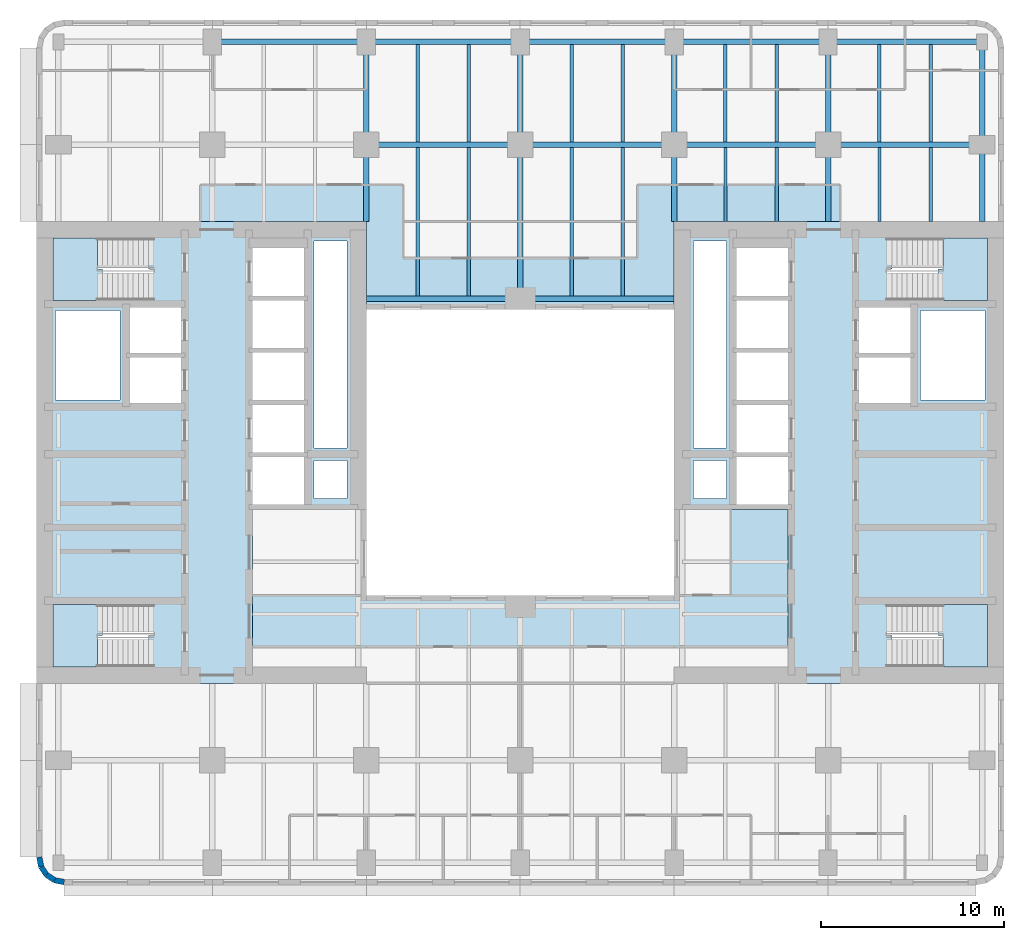
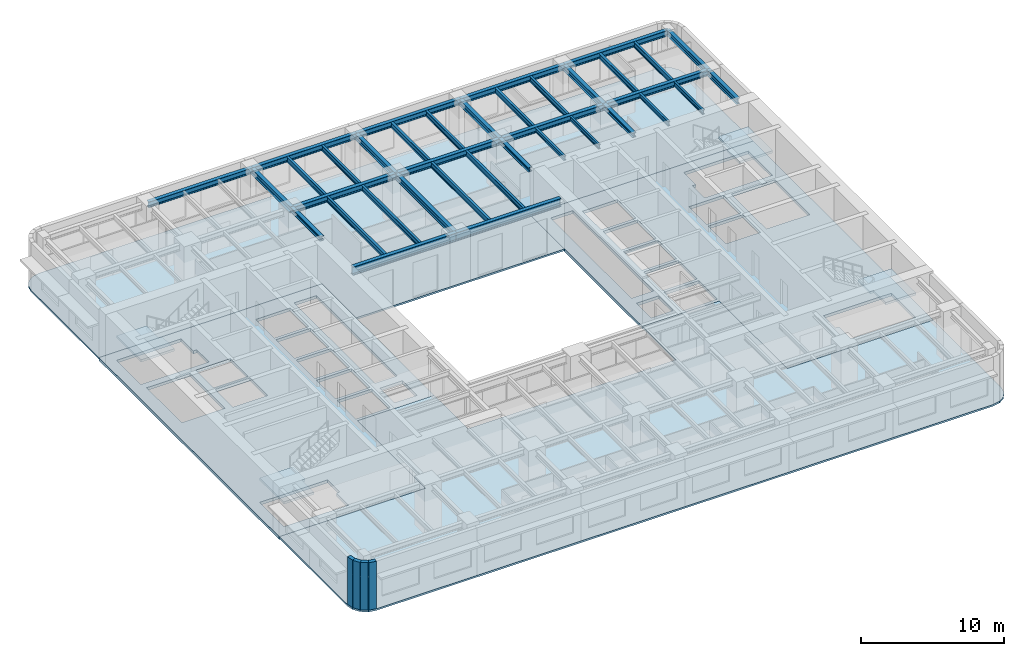
# One storey, part 2 of 11: 37 beams, 8 slabs, 4 walls, 4 elements without a shape of their own.
"""IFC4 building model written with IfcOpenShell, lengths in metres."""

from ifc_helpers import new_model, si_unit, direction, frame, frame_2d, origin, origin_2d, place, context, subcontext, project, spatial, polyline, rectangle, i_section, outline, extrude, material, layer, layer_set, material_profile, profile_set, type_object, element, aggregate, save


model = new_model("IFC4")

# Units and contexts
model_context = context("Model", 3, precision=1e-05, world=origin(), true_north=direction((0.0, 1.0)))
body_context = subcontext(model_context, "Body", "Model", "MODEL_VIEW")
ifc_project = project(units=[si_unit("LENGTHUNIT", "METRE"), si_unit("AREAUNIT", "SQUARE_METRE"), si_unit("VOLUMEUNIT", "CUBIC_METRE"), si_unit("PLANEANGLEUNIT", "RADIAN"), si_unit("MASSUNIT", "GRAM", prefix="KILO")], contexts=[model_context])

# Site, building, storey
site_placement = place(None, origin())
site = spatial("IfcSite", under=ifc_project, at=site_placement, CompositionType="ELEMENT")
building_placement = place(site_placement, origin())
building = spatial("IfcBuilding", under=site, at=building_placement, Name="Claustro Exchange Tower", CompositionType="ELEMENT")
storey_placement = place(building_placement, frame((0.0, 0.0, 138.60009765625)))
storey = spatial("IfcBuildingStorey", under=building, at=storey_placement, Name="L31", CompositionType="ELEMENT", Elevation=138.60009765625)

# Beams
ifc_material_1 = material(Name="Steel S355", Category="steel")
ifc_material_profile_1 = material_profile(ifc_material_1, i_section(OverallWidth=0.300048828125, OverallDepth=0.68994140625, WebThickness=0.014404296875, FlangeThickness=0.027099609375, FilletRadius=0.027099609375, at=origin_2d()), Name="HE 700 A")
ifc_profile_set_1 = profile_set([ifc_material_profile_1], Name="Steel S355")
beam_type_1 = type_object("IfcBeamType", Name="B13 HE 700 A light well edge girder", PredefinedType="BEAM", material=ifc_profile_set_1)
beam_1_placement = place(storey_placement, frame((16.800048828125, 33.60009765625, 3.704833984375), z_axis=(1.0, 0.0, 0.0), x_axis=(0.0, 1.0, 0.0)))
element("IfcBeam", 1, at=beam_1_placement, inside=storey, type_object=beam_type_1, Name="Beam B13 L32", PredefinedType="BEAM", context=body_context, shape_type="SweptSolid", body=[
    extrude(i_section(OverallWidth=0.300048828125, OverallDepth=0.68994140625, WebThickness=0.014404296875, FlangeThickness=0.027099609375, FilletRadius=0.027099609375, at=origin_2d()), origin(), (0.0, 0.0, 1.0), 8.39990234375),
])
beam_2_placement = place(storey_placement, frame((25.199951171875, 33.60009765625, 3.704833984375), z_axis=(1.0, 0.0, 0.0), x_axis=(0.0, 1.0, 0.0)))
element("IfcBeam", 2, at=beam_2_placement, inside=storey, type_object=beam_type_1, Name="Beam B13 L32", PredefinedType="BEAM", context=body_context, shape_type="SweptSolid", body=[
    extrude(i_section(OverallWidth=0.300048828125, OverallDepth=0.68994140625, WebThickness=0.014404296875, FlangeThickness=0.027099609375, FilletRadius=0.027099609375, at=origin_2d()), origin(), (0.0, 0.0, 1.0), 8.400146484375),
])
ifc_material_2 = material(Name="Steel S355", Category="steel")
ifc_material_profile_2 = material_profile(ifc_material_2, i_section(OverallWidth=0.169921875, OverallDepth=0.360107421875, WebThickness=0.008056640625, FlangeThickness=0.0126953125, FilletRadius=0.01806640625, at=origin_2d()), Name="IPE 360")
ifc_profile_set_2 = profile_set([ifc_material_profile_2], Name="Steel S355")
beam_type_2 = type_object("IfcBeamType", Name="B16 IPE 360 short-span beam", PredefinedType="BEAM", material=ifc_profile_set_2)
for number, where, z_axis, x_axis, name in (
    (3, (36.39990234375, 37.7900390625, 3.869873046875), (0.0, 1.0, 0.0), (-1.0, 0.0, 0.0), "Beam B16 L32"),
    (4, (39.199951171875, 37.7900390625, 3.869873046875), (0.0, 1.0, 0.0), (-1.0, 0.0, 0.0), "Beam B16 L32"),
    (5, (44.800048828125, 37.7900390625, 3.869873046875), (0.0, 1.0, 0.0), (-1.0, 0.0, 0.0), "Beam B16 L32"),
    (6, (47.60009765625, 37.7900390625, 3.869873046875), (0.0, 1.0, 0.0), (-1.0, 0.0, 0.0), "Beam B16 L32"),
):
    element("IfcBeam", number, at=place(storey_placement, frame(where, z_axis=z_axis, x_axis=x_axis)), inside=storey, type_object=beam_type_2, Name=name, PredefinedType="BEAM", context=body_context, shape_type="SweptSolid", body=[
        extrude(i_section(OverallWidth=0.169921875, OverallDepth=0.360107421875, WebThickness=0.008056640625, FlangeThickness=0.0126953125, FilletRadius=0.01806640625, at=origin_2d()), origin(), (0.0, 0.0, 1.0), 4.06005859375),
    ])
ifc_material_3 = material(Name="Steel S355", Category="steel")
ifc_material_profile_3 = material_profile(ifc_material_3, i_section(OverallWidth=0.300048828125, OverallDepth=0.360107421875, WebThickness=0.012451171875, FlangeThickness=0.0224609375, FilletRadius=0.027099609375, at=origin_2d()), Name="HE 360 B")
ifc_profile_set_3 = profile_set([ifc_material_profile_3], Name="Steel S355")
beam_type_3 = type_object("IfcBeamType", Name="B29 HE 360 B column to core link beam", PredefinedType="BEAM", material=ifc_profile_set_3)
for number, where, z_axis, x_axis, name in (
    (7, (16.800048828125, 37.800048828125, 3.869873046875), (0.0, 1.0, 0.0), (-1.0, 0.0, 0.0), "Beam B29 L32"),
    (8, (33.60009765625, 37.800048828125, 3.869873046875), (0.0, 1.0, 0.0), (-1.0, 0.0, 0.0), "Beam B29 L32"),
    (9, (42.0, 37.800048828125, 3.869873046875), (0.0, 1.0, 0.0), (-1.0, 0.0, 0.0), "Beam B29 L32"),
):
    element("IfcBeam", number, at=place(storey_placement, frame(where, z_axis=z_axis, x_axis=x_axis)), inside=storey, type_object=beam_type_3, Name=name, PredefinedType="BEAM", context=body_context, shape_type="SweptSolid", body=[
        extrude(i_section(OverallWidth=0.300048828125, OverallDepth=0.360107421875, WebThickness=0.012451171875, FlangeThickness=0.0224609375, FilletRadius=0.027099609375, at=origin_2d()), origin(), (0.0, 0.0, 1.0), 4.199951171875),
    ])
ifc_material_4 = material(Name="Steel S355", Category="steel")
ifc_material_profile_4 = material_profile(ifc_material_4, i_section(OverallWidth=0.300048828125, OverallDepth=0.5, WebThickness=0.014404296875, FlangeThickness=0.028076171875, FilletRadius=0.027099609375, at=origin_2d()), Name="HE 500 B")
ifc_profile_set_4 = profile_set([ifc_material_profile_4], Name="Steel S355")
beam_type_4 = type_object("IfcBeamType", Name="B7 HE 500 B floor girder", PredefinedType="BEAM", material=ifc_profile_set_4)
beam_3_placement = place(storey_placement, frame((16.800048828125, 42.0, 3.7998046875), z_axis=(0.0, 1.0, 0.0), x_axis=(-1.0, 0.0, 0.0)))
element("IfcBeam", 10, at=beam_3_placement, inside=storey, type_object=beam_type_4, Name="Beam B7 L32", PredefinedType="BEAM", context=body_context, shape_type="SweptSolid", body=[
    extrude(i_section(OverallWidth=0.300048828125, OverallDepth=0.5, WebThickness=0.014404296875, FlangeThickness=0.028076171875, FilletRadius=0.027099609375, at=origin_2d()), origin(), (0.0, 0.0, 1.0), 5.60009765625),
])
beam_4_placement = place(storey_placement, frame((25.199951171875, 33.60009765625, 3.7998046875), z_axis=(0.0, 1.0, 0.0), x_axis=(-1.0, 0.0, 0.0)))
element("IfcBeam", 11, at=beam_4_placement, inside=storey, type_object=beam_type_4, Name="Beam B7 L32", PredefinedType="BEAM", context=body_context, shape_type="SweptSolid", body=[
    extrude(i_section(OverallWidth=0.300048828125, OverallDepth=0.5, WebThickness=0.014404296875, FlangeThickness=0.028076171875, FilletRadius=0.027099609375, at=origin_2d()), origin(), (0.0, 0.0, 1.0), 8.39990234375),
])
for number, where, z_axis, x_axis, name in (
    (12, (25.199951171875, 42.0, 3.7998046875), (0.0, 1.0, 0.0), (-1.0, 0.0, 0.0), "Beam B7 L32"),
    (13, (33.60009765625, 42.0, 3.7998046875), (0.0, 1.0, 0.0), (-1.0, 0.0, 0.0), "Beam B7 L32"),
    (14, (42.0, 42.0, 3.7998046875), (0.0, 1.0, 0.0), (-1.0, 0.0, 0.0), "Beam B7 L32"),
):
    element("IfcBeam", number, at=place(storey_placement, frame(where, z_axis=z_axis, x_axis=x_axis)), inside=storey, type_object=beam_type_4, Name=name, PredefinedType="BEAM", context=body_context, shape_type="SweptSolid", body=[
        extrude(i_section(OverallWidth=0.300048828125, OverallDepth=0.5, WebThickness=0.014404296875, FlangeThickness=0.028076171875, FilletRadius=0.027099609375, at=origin_2d()), origin(), (0.0, 0.0, 1.0), 5.60009765625),
    ])
beam_5_placement = place(storey_placement, frame((16.800048828125, 42.0, 3.7998046875), z_axis=(1.0, 0.0, 0.0), x_axis=(0.0, 1.0, 0.0)))
element("IfcBeam", 15, at=beam_5_placement, inside=storey, type_object=beam_type_4, Name="Beam B7 L32", PredefinedType="BEAM", context=body_context, shape_type="SweptSolid", body=[
    extrude(i_section(OverallWidth=0.300048828125, OverallDepth=0.5, WebThickness=0.014404296875, FlangeThickness=0.028076171875, FilletRadius=0.027099609375, at=origin_2d()), origin(), (0.0, 0.0, 1.0), 8.39990234375),
])
beam_6_placement = place(storey_placement, frame((25.199951171875, 42.0, 3.7998046875), z_axis=(1.0, 0.0, 0.0), x_axis=(0.0, 1.0, 0.0)))
element("IfcBeam", 16, at=beam_6_placement, inside=storey, type_object=beam_type_4, Name="Beam B7 L32", PredefinedType="BEAM", context=body_context, shape_type="SweptSolid", body=[
    extrude(i_section(OverallWidth=0.300048828125, OverallDepth=0.5, WebThickness=0.014404296875, FlangeThickness=0.028076171875, FilletRadius=0.027099609375, at=origin_2d()), origin(), (0.0, 0.0, 1.0), 8.400146484375),
])
for number, where, z_axis, x_axis, name in (
    (17, (33.60009765625, 42.0, 3.7998046875), (1.0, 0.0, 0.0), (0.0, 1.0, 0.0), "Beam B7 L32"),
    (18, (42.0, 42.0, 3.7998046875), (1.0, 0.0, 0.0), (0.0, 1.0, 0.0), "Beam B7 L32"),
):
    element("IfcBeam", number, at=place(storey_placement, frame(where, z_axis=z_axis, x_axis=x_axis)), inside=storey, type_object=beam_type_4, Name=name, PredefinedType="BEAM", context=body_context, shape_type="SweptSolid", body=[
        extrude(i_section(OverallWidth=0.300048828125, OverallDepth=0.5, WebThickness=0.014404296875, FlangeThickness=0.028076171875, FilletRadius=0.027099609375, at=origin_2d()), origin(), (0.0, 0.0, 1.0), 8.39990234375),
    ])
ifc_material_5 = material(Name="Steel S355", Category="steel")
ifc_material_profile_5 = material_profile(ifc_material_5, i_section(OverallWidth=0.18994140625, OverallDepth=0.449951171875, WebThickness=0.009521484375, FlangeThickness=0.0146484375, FilletRadius=0.02099609375, at=origin_2d()), Name="IPE 450")
ifc_profile_set_5 = profile_set([ifc_material_profile_5], Name="Steel S355")
beam_type_5 = type_object("IfcBeamType", Name="B8 IPE 450 secondary beam", PredefinedType="BEAM", material=ifc_profile_set_5)
for number, where, z_axis, x_axis, name in (
    (19, (19.60009765625, 33.75, 3.824951171875), (0.0, 1.0, 0.0), (-1.0, 0.0, 0.0), "Beam B8 L32"),
    (20, (22.39990234375, 33.75, 3.824951171875), (0.0, 1.0, 0.0), (-1.0, 0.0, 0.0), "Beam B8 L32"),
):
    element("IfcBeam", number, at=place(storey_placement, frame(where, z_axis=z_axis, x_axis=x_axis)), inside=storey, type_object=beam_type_5, Name=name, PredefinedType="BEAM", context=body_context, shape_type="SweptSolid", body=[
        extrude(i_section(OverallWidth=0.18994140625, OverallDepth=0.449951171875, WebThickness=0.009521484375, FlangeThickness=0.0146484375, FilletRadius=0.02099609375, at=origin_2d()), origin(), (0.0, 0.0, 1.0), 8.10009765625),
    ])
for number, where, z_axis, x_axis, name in (
    (21, (19.60009765625, 42.14990234375, 3.824951171875), (0.0, 1.0, 0.0), (-1.0, 0.0, 0.0), "Beam B8 L32"),
    (22, (22.39990234375, 42.14990234375, 3.824951171875), (0.0, 1.0, 0.0), (-1.0, 0.0, 0.0), "Beam B8 L32"),
):
    element("IfcBeam", number, at=place(storey_placement, frame(where, z_axis=z_axis, x_axis=x_axis)), inside=storey, type_object=beam_type_5, Name=name, PredefinedType="BEAM", context=body_context, shape_type="SweptSolid", body=[
        extrude(i_section(OverallWidth=0.18994140625, OverallDepth=0.449951171875, WebThickness=0.009521484375, FlangeThickness=0.0146484375, FilletRadius=0.02099609375, at=origin_2d()), origin(), (0.0, 0.0, 1.0), 5.300048828125),
    ])
for number, where, z_axis, x_axis, name in (
    (23, (28.0, 33.75, 3.824951171875), (0.0, 1.0, 0.0), (-1.0, 0.0, 0.0), "Beam B8 L32"),
    (24, (30.800048828125, 33.75, 3.824951171875), (0.0, 1.0, 0.0), (-1.0, 0.0, 0.0), "Beam B8 L32"),
):
    element("IfcBeam", number, at=place(storey_placement, frame(where, z_axis=z_axis, x_axis=x_axis)), inside=storey, type_object=beam_type_5, Name=name, PredefinedType="BEAM", context=body_context, shape_type="SweptSolid", body=[
        extrude(i_section(OverallWidth=0.18994140625, OverallDepth=0.449951171875, WebThickness=0.009521484375, FlangeThickness=0.0146484375, FilletRadius=0.02099609375, at=origin_2d()), origin(), (0.0, 0.0, 1.0), 8.10009765625),
    ])
for number, where, z_axis, x_axis, name in (
    (25, (28.0, 42.14990234375, 3.824951171875), (0.0, 1.0, 0.0), (-1.0, 0.0, 0.0), "Beam B8 L32"),
    (26, (30.800048828125, 42.14990234375, 3.824951171875), (0.0, 1.0, 0.0), (-1.0, 0.0, 0.0), "Beam B8 L32"),
    (27, (36.39990234375, 42.14990234375, 3.824951171875), (0.0, 1.0, 0.0), (-1.0, 0.0, 0.0), "Beam B8 L32"),
    (28, (39.199951171875, 42.14990234375, 3.824951171875), (0.0, 1.0, 0.0), (-1.0, 0.0, 0.0), "Beam B8 L32"),
    (29, (44.800048828125, 42.14990234375, 3.824951171875), (0.0, 1.0, 0.0), (-1.0, 0.0, 0.0), "Beam B8 L32"),
    (30, (47.60009765625, 42.14990234375, 3.824951171875), (0.0, 1.0, 0.0), (-1.0, 0.0, 0.0), "Beam B8 L32"),
):
    element("IfcBeam", number, at=place(storey_placement, frame(where, z_axis=z_axis, x_axis=x_axis)), inside=storey, type_object=beam_type_5, Name=name, PredefinedType="BEAM", context=body_context, shape_type="SweptSolid", body=[
        extrude(i_section(OverallWidth=0.18994140625, OverallDepth=0.449951171875, WebThickness=0.009521484375, FlangeThickness=0.0146484375, FilletRadius=0.02099609375, at=origin_2d()), origin(), (0.0, 0.0, 1.0), 5.300048828125),
    ])
ifc_material_6 = material(Name="Steel S355", Category="steel")
ifc_material_profile_6 = material_profile(ifc_material_6, i_section(OverallWidth=0.300048828125, OverallDepth=0.489990234375, WebThickness=0.011962890625, FlangeThickness=0.02294921875, FilletRadius=0.027099609375, at=origin_2d()), Name="HE 500 A")
ifc_profile_set_6 = profile_set([ifc_material_profile_6], Name="Steel S355")
beam_type_6 = type_object("IfcBeamType", Name="B9 HE 500 A spandrel edge girder", PredefinedType="SPANDREL", material=ifc_profile_set_6)
beam_7_placement = place(storey_placement, frame((50.39990234375, 37.800048828125, 3.804931640625), z_axis=(0.0, 1.0, 0.0), x_axis=(-1.0, 0.0, 0.0)))
element("IfcBeam", 31, at=beam_7_placement, inside=storey, type_object=beam_type_6, Name="Beam B9 L32", PredefinedType="SPANDREL", context=body_context, shape_type="SweptSolid", body=[
    extrude(i_section(OverallWidth=0.300048828125, OverallDepth=0.489990234375, WebThickness=0.011962890625, FlangeThickness=0.02294921875, FilletRadius=0.027099609375, at=origin_2d()), origin(), (0.0, 0.0, 1.0), 4.199951171875),
])
beam_8_placement = place(storey_placement, frame((50.39990234375, 42.0, 3.804931640625), z_axis=(0.0, 1.0, 0.0), x_axis=(-1.0, 0.0, 0.0)))
element("IfcBeam", 32, at=beam_8_placement, inside=storey, type_object=beam_type_6, Name="Beam B9 L32", PredefinedType="SPANDREL", context=body_context, shape_type="SweptSolid", body=[
    extrude(i_section(OverallWidth=0.300048828125, OverallDepth=0.489990234375, WebThickness=0.011962890625, FlangeThickness=0.02294921875, FilletRadius=0.027099609375, at=origin_2d()), origin(), (0.0, 0.0, 1.0), 5.60009765625),
])
beam_9_placement = place(storey_placement, frame((8.39990234375, 47.60009765625, 3.804931640625), z_axis=(1.0, 0.0, 0.0), x_axis=(0.0, 1.0, 0.0)))
element("IfcBeam", 33, at=beam_9_placement, inside=storey, type_object=beam_type_6, Name="Beam B9 L32", PredefinedType="SPANDREL", context=body_context, shape_type="SweptSolid", body=[
    extrude(i_section(OverallWidth=0.300048828125, OverallDepth=0.489990234375, WebThickness=0.011962890625, FlangeThickness=0.02294921875, FilletRadius=0.027099609375, at=origin_2d()), origin(), (0.0, 0.0, 1.0), 8.400146484375),
])
beam_10_placement = place(storey_placement, frame((16.800048828125, 47.60009765625, 3.804931640625), z_axis=(1.0, 0.0, 0.0), x_axis=(0.0, 1.0, 0.0)))
element("IfcBeam", 34, at=beam_10_placement, inside=storey, type_object=beam_type_6, Name="Beam B9 L32", PredefinedType="SPANDREL", context=body_context, shape_type="SweptSolid", body=[
    extrude(i_section(OverallWidth=0.300048828125, OverallDepth=0.489990234375, WebThickness=0.011962890625, FlangeThickness=0.02294921875, FilletRadius=0.027099609375, at=origin_2d()), origin(), (0.0, 0.0, 1.0), 8.39990234375),
])
beam_11_placement = place(storey_placement, frame((25.199951171875, 47.60009765625, 3.804931640625), z_axis=(1.0, 0.0, 0.0), x_axis=(0.0, 1.0, 0.0)))
element("IfcBeam", 35, at=beam_11_placement, inside=storey, type_object=beam_type_6, Name="Beam B9 L32", PredefinedType="SPANDREL", context=body_context, shape_type="SweptSolid", body=[
    extrude(i_section(OverallWidth=0.300048828125, OverallDepth=0.489990234375, WebThickness=0.011962890625, FlangeThickness=0.02294921875, FilletRadius=0.027099609375, at=origin_2d()), origin(), (0.0, 0.0, 1.0), 8.400146484375),
])
for number, where, z_axis, x_axis, name in (
    (36, (33.60009765625, 47.60009765625, 3.804931640625), (1.0, 0.0, 0.0), (0.0, 1.0, 0.0), "Beam B9 L32"),
    (37, (42.0, 47.60009765625, 3.804931640625), (1.0, 0.0, 0.0), (0.0, 1.0, 0.0), "Beam B9 L32"),
):
    element("IfcBeam", number, at=place(storey_placement, frame(where, z_axis=z_axis, x_axis=x_axis)), inside=storey, type_object=beam_type_6, Name=name, PredefinedType="SPANDREL", context=body_context, shape_type="SweptSolid", body=[
        extrude(i_section(OverallWidth=0.300048828125, OverallDepth=0.489990234375, WebThickness=0.011962890625, FlangeThickness=0.02294921875, FilletRadius=0.027099609375, at=origin_2d()), origin(), (0.0, 0.0, 1.0), 8.39990234375),
    ])

# Slabs
ifc_material_7 = material(Name="Concrete HA-50 (C50/60)", Category="concrete")
ifc_layer_1 = layer(ifc_material_7, 0.14990234375)
ifc_layer_set_1 = layer_set([ifc_layer_1], Name="Concrete HA-50 (C50/60)")
slab_type_1 = type_object("IfcSlabType", Name="S2 150 composite floor slab", PredefinedType="FLOOR", material=ifc_layer_set_1)
slab_1_placement = place(storey_placement, frame((0.0, 0.0, -0.150146484375)))
element("IfcSlab", 38, at=slab_1_placement, inside=storey, type_object=slab_type_1, Name="Floor slab S2 S L31", PredefinedType="FLOOR", context=body_context, shape_type="SweptSolid", body=[
    extrude(outline(polyline([(-0.27392578125, 1.714111328125), (0.300048828125, 1.60009765625), (50.10009765625, 1.60009765625), (50.674072265625, 1.714111328125), (51.16064453125, 2.039306640625), (51.48583984375, 2.52587890625), (51.60009765625, 3.10009765625), (51.60009765625, 12.60009765625), (39.800048828125, 12.60009765625), (39.800048828125, 22.10009765625), (33.60009765625, 22.10009765625), (33.60009765625, 17.39990234375), (16.800048828125, 17.39990234375), (16.800048828125, 22.10009765625), (10.60009765625, 22.10009765625), (10.60009765625, 12.60009765625), (-1.199951171875, 12.60009765625), (-1.199951171875, 3.10009765625), (-1.085693359375, 2.52587890625), (-0.7607421875, 2.039306640625), (-0.27392578125, 1.714111328125)])), origin(), (0.0, 0.0, 1.0), 0.150146484375),
])
slab_2_placement = place(storey_placement, frame((0.0, 0.0, -0.150146484375)))
element("IfcSlab", 39, at=slab_2_placement, inside=storey, type_object=slab_type_1, Name="Floor slab S2 N L31", PredefinedType="FLOOR", context=body_context, shape_type="SweptSolid", body=[
    extrude(outline(polyline([(16.800048828125, 37.800048828125), (16.800048828125, 33.0), (33.60009765625, 33.0), (33.60009765625, 37.800048828125), (51.60009765625, 37.800048828125), (51.60009765625, 47.300048828125), (51.48583984375, 47.8740234375), (51.16064453125, 48.360595703125), (50.674072265625, 48.685791015625), (50.10009765625, 48.800048828125), (0.300048828125, 48.800048828125), (-0.27392578125, 48.685791015625), (-0.7607421875, 48.360595703125), (-1.085693359375, 47.8740234375), (-1.199951171875, 47.300048828125), (-1.199951171875, 37.800048828125), (16.800048828125, 37.800048828125)])), origin(), (0.0, 0.0, 1.0), 0.150146484375),
])
ifc_material_8 = material(Name="Concrete HA-50 (C50/60)", Category="concrete")
ifc_layer_2 = layer(ifc_material_8, 0.25)
ifc_layer_set_2 = layer_set([ifc_layer_2], Name="Concrete HA-50 (C50/60)")
slab_type_2 = type_object("IfcSlabType", Name="S7 250 core floor slab", PredefinedType="FLOOR", material=ifc_layer_set_2)
slab_3_placement = place(storey_placement, frame((0.0, 0.0, -0.25)))
element("IfcSlab", 40, at=slab_3_placement, inside=storey, type_object=slab_type_2, Name="Core floor slab S7 W core L31", PredefinedType="FLOOR", context=body_context, shape_type="SweptSolid", body=[
    extrude(outline(polyline([(-1.199951171875, 37.800048828125), (-1.199951171875, 12.60009765625), (10.60009765625, 12.60009765625), (10.60009765625, 22.10009765625), (16.800048828125, 22.10009765625), (16.800048828125, 37.800048828125), (-1.199951171875, 37.800048828125)]), holes=[polyline([(13.949951171875, 24.75), (15.75, 24.75), (15.75, 22.699951171875), (13.949951171875, 22.699951171875), (13.949951171875, 24.75)]), polyline([(13.949951171875, 36.75), (15.75, 36.75), (15.75, 25.449951171875), (13.949951171875, 25.449951171875), (13.949951171875, 36.75)]), polyline([(13.39990234375, 24.949951171875), (13.39990234375, 22.35009765625), (10.60009765625, 22.35009765625), (10.60009765625, 24.949951171875), (13.39990234375, 24.949951171875)]), polyline([(13.39990234375, 27.800048828125), (13.39990234375, 25.199951171875), (10.60009765625, 25.199951171875), (10.60009765625, 27.800048828125), (13.39990234375, 27.800048828125)]), polyline([(13.39990234375, 30.64990234375), (13.39990234375, 28.050048828125), (10.60009765625, 28.050048828125), (10.60009765625, 30.64990234375), (13.39990234375, 30.64990234375)]), polyline([(13.39990234375, 33.5), (13.39990234375, 30.89990234375), (10.60009765625, 30.89990234375), (10.60009765625, 33.5), (13.39990234375, 33.5)]), polyline([(13.39990234375, 36.35009765625), (13.39990234375, 33.75), (10.60009765625, 33.75), (10.60009765625, 36.35009765625), (13.39990234375, 36.35009765625)]), polyline([(6.699951171875, 30.375), (6.699951171875, 27.89990234375), (3.89990234375, 27.89990234375), (3.89990234375, 30.375), (6.699951171875, 30.375)]), polyline([(6.699951171875, 33.10009765625), (6.699951171875, 30.625), (3.89990234375, 30.625), (3.89990234375, 33.10009765625), (6.699951171875, 33.10009765625)]), polyline([(-0.300048828125, 15.199951171875), (-0.300048828125, 16.89990234375), (5.195068359375, 16.89990234375), (5.195068359375, 15.199951171875), (4.919921875, 15.199951171875), (4.919921875, 13.5), (-0.300048828125, 13.5), (-0.300048828125, 15.199951171875)]), polyline([(-0.300048828125, 35.199951171875), (-0.300048828125, 36.89990234375), (4.919921875, 36.89990234375), (4.919921875, 35.199951171875), (5.195068359375, 35.199951171875), (5.195068359375, 33.5), (-0.300048828125, 33.5), (-0.300048828125, 35.199951171875)]), polyline([(-0.14990234375, 32.949951171875), (3.35009765625, 32.949951171875), (3.35009765625, 28.050048828125), (-0.14990234375, 28.050048828125), (-0.14990234375, 32.949951171875)])]), origin(), (0.0, 0.0, 1.0), 0.25),
])
slab_4_placement = place(storey_placement, frame((0.0, 0.0, -0.25)))
element("IfcSlab", 41, at=slab_4_placement, inside=storey, type_object=slab_type_2, Name="Core floor slab S7 E core L31", PredefinedType="FLOOR", context=body_context, shape_type="SweptSolid", body=[
    extrude(outline(polyline([(51.60009765625, 37.800048828125), (33.60009765625, 37.800048828125), (33.60009765625, 22.10009765625), (39.800048828125, 22.10009765625), (39.800048828125, 12.60009765625), (51.60009765625, 12.60009765625), (51.60009765625, 37.800048828125)]), holes=[polyline([(45.47998046875, 15.199951171875), (45.205078125, 15.199951171875), (45.205078125, 16.89990234375), (50.699951171875, 16.89990234375), (50.699951171875, 15.199951171875), (50.699951171875, 13.5), (45.47998046875, 13.5), (45.47998046875, 15.199951171875)]), polyline([(45.47998046875, 35.199951171875), (45.47998046875, 36.89990234375), (50.699951171875, 36.89990234375), (50.699951171875, 35.199951171875), (50.699951171875, 33.5), (45.205078125, 33.5), (45.205078125, 35.199951171875), (45.47998046875, 35.199951171875)]), polyline([(50.550048828125, 32.949951171875), (50.550048828125, 28.050048828125), (47.050048828125, 28.050048828125), (47.050048828125, 32.949951171875), (50.550048828125, 32.949951171875)]), polyline([(43.699951171875, 33.10009765625), (46.5, 33.10009765625), (46.5, 30.625), (43.699951171875, 30.625), (43.699951171875, 33.10009765625)]), polyline([(46.5, 30.375), (46.5, 27.89990234375), (43.699951171875, 27.89990234375), (43.699951171875, 30.375), (46.5, 30.375)]), polyline([(37.0, 24.949951171875), (39.800048828125, 24.949951171875), (39.800048828125, 22.35009765625), (37.0, 22.35009765625), (37.0, 24.949951171875)]), polyline([(37.0, 30.64990234375), (39.800048828125, 30.64990234375), (39.800048828125, 28.050048828125), (37.0, 28.050048828125), (37.0, 30.64990234375)]), polyline([(39.800048828125, 27.800048828125), (39.800048828125, 25.199951171875), (37.0, 25.199951171875), (37.0, 27.800048828125), (39.800048828125, 27.800048828125)]), polyline([(39.800048828125, 33.5), (39.800048828125, 30.89990234375), (37.0, 30.89990234375), (37.0, 33.5), (39.800048828125, 33.5)]), polyline([(39.800048828125, 36.35009765625), (39.800048828125, 33.75), (37.0, 33.75), (37.0, 36.35009765625), (39.800048828125, 36.35009765625)]), polyline([(36.449951171875, 24.75), (36.449951171875, 22.699951171875), (34.64990234375, 22.699951171875), (34.64990234375, 24.75), (36.449951171875, 24.75)]), polyline([(36.449951171875, 36.75), (36.449951171875, 25.449951171875), (34.64990234375, 25.449951171875), (34.64990234375, 36.75), (36.449951171875, 36.75)])]), origin(), (0.0, 0.0, 1.0), 0.25),
])

# Stair, slab
ifc_material_9 = material(Name="Concrete HA-30 (C30/37), precast", Category="concrete")
stair_type = type_object("IfcStairType", Name="ST1 half-turn stair, 24 risers of 175", PredefinedType="HALF_TURN_STAIR", material=ifc_material_9)
stair_1_placement = place(storey_placement, origin())
stair_1 = element("IfcStair", 42, at=stair_1_placement, inside=storey, type_object=stair_type, Name="Stair STWA L31", PredefinedType="HALF_TURN_STAIR")
ifc_material_10 = material(Name="Concrete HA-30 (C30/37), precast", Category="concrete")
ifc_layer_3 = layer(ifc_material_10, 0.199951171875)
ifc_layer_set_3 = layer_set([ifc_layer_3], Name="Concrete HA-30 (C30/37), precast")
slab_type_3 = type_object("IfcSlabType", Name="S9 200 stair landing", PredefinedType="LANDING", material=ifc_layer_set_3)
slab_5_placement = place(storey_placement, frame((0.0, 0.0, 1.89990234375)))
slab_5 = element("IfcSlab", 43, at=slab_5_placement, type_object=slab_type_3, Name="STWA landing 1", PredefinedType="LANDING", context=body_context, shape_type="SweptSolid", body=[
    extrude(outline(polyline([(2.125, 13.5), (-0.300048828125, 13.5), (-0.300048828125, 16.89990234375), (2.1201171875, 16.89990234375), (2.125, 16.89990234375), (2.39990234375, 16.89990234375), (2.39990234375, 15.199951171875), (2.125, 15.199951171875), (2.125, 13.5)])), origin(), (0.0, 0.0, 1.0), 0.199951171875),
])
aggregate(stair_1, [slab_5])

stair_2_placement = place(storey_placement, origin())
stair_2 = element("IfcStair", 44, at=stair_2_placement, inside=storey, type_object=stair_type, Name="Stair STWB L31", PredefinedType="HALF_TURN_STAIR")
slab_6_placement = place(storey_placement, frame((0.0, 0.0, 1.89990234375)))
slab_6 = element("IfcSlab", 45, at=slab_6_placement, type_object=slab_type_3, Name="STWB landing 1", PredefinedType="LANDING", context=body_context, shape_type="SweptSolid", body=[
    extrude(outline(polyline([(2.39990234375, 35.199951171875), (2.39990234375, 33.5), (2.125, 33.5), (2.1201171875, 33.5), (-0.300048828125, 33.5), (-0.300048828125, 36.89990234375), (2.125, 36.89990234375), (2.125, 35.199951171875), (2.39990234375, 35.199951171875)])), origin(), (0.0, 0.0, 1.0), 0.199951171875),
])
aggregate(stair_2, [slab_6])

stair_3_placement = place(storey_placement, origin())
stair_3 = element("IfcStair", 46, at=stair_3_placement, inside=storey, type_object=stair_type, Name="Stair STEA L31", PredefinedType="HALF_TURN_STAIR")
slab_7_placement = place(storey_placement, frame((0.0, 0.0, 1.89990234375)))
slab_7 = element("IfcSlab", 47, at=slab_7_placement, type_object=slab_type_3, Name="STEA landing 1", PredefinedType="LANDING", context=body_context, shape_type="SweptSolid", body=[
    extrude(outline(polyline([(50.699951171875, 16.89990234375), (50.699951171875, 13.5), (48.27490234375, 13.5), (48.27490234375, 15.199951171875), (48.0, 15.199951171875), (48.0, 16.89990234375), (48.27490234375, 16.89990234375), (48.280029296875, 16.89990234375), (50.699951171875, 16.89990234375)])), origin(), (0.0, 0.0, 1.0), 0.199951171875),
])
aggregate(stair_3, [slab_7])

stair_4_placement = place(storey_placement, origin())
stair_4 = element("IfcStair", 48, at=stair_4_placement, inside=storey, type_object=stair_type, Name="Stair STEB L31", PredefinedType="HALF_TURN_STAIR")
slab_8_placement = place(storey_placement, frame((0.0, 0.0, 1.89990234375)))
slab_8 = element("IfcSlab", 49, at=slab_8_placement, type_object=slab_type_3, Name="STEB landing 1", PredefinedType="LANDING", context=body_context, shape_type="SweptSolid", body=[
    extrude(outline(polyline([(48.0, 33.5), (48.0, 35.199951171875), (48.27490234375, 35.199951171875), (48.27490234375, 36.89990234375), (50.699951171875, 36.89990234375), (50.699951171875, 33.5), (48.280029296875, 33.5), (48.27490234375, 33.5), (48.0, 33.5)])), origin(), (0.0, 0.0, 1.0), 0.199951171875),
])
aggregate(stair_4, [slab_8])

# Walls
ifc_material_11 = material(Name="Concrete HA-40 (C40/50), precast, white cement, acid-etched", Category="concrete")
ifc_layer_4 = layer(ifc_material_11, 0.300048828125)
ifc_layer_set_4 = layer_set([ifc_layer_4], Name="Concrete HA-40 (C40/50), precast, white cement, acid-etched")
wall_type = type_object("IfcWallType", Name="PC1 300 precast concrete pier panel", PredefinedType="SOLIDWALL", material=ifc_layer_set_4)
wall_1_placement = place(storey_placement, frame((0.314697265625, 1.75, 0.0), z_axis=(0.0, 0.0, 1.0), x_axis=(-0.980788534345, 0.195073962632, 0.0)))
element("IfcWall", 50, at=wall_1_placement, inside=storey, type_object=wall_type, Name="Precast pier panel PC1 L31", PredefinedType="SOLIDWALL", context=body_context, shape_type="SweptSolid", body=[
    extrude(rectangle(XDim=0.540771484375, YDim=0.300048828125, at=frame_2d((0.2705078125, 0.0))), origin(), (0.0, 0.0, 1.0), 4.0498046875),
])
for number, where, z_axis, x_axis, name in (
    (51, (-0.215576171875, 1.85546875, 0.0), (0.0, 0.0, 1.0), (-0.831478144188, 0.555557463938, 0.0), "Precast pier panel PC1 L31"),
    (52, (-0.652587890625, 2.1474609375, 0.0), (0.0, 0.0, 1.0), (-0.555557463938, 0.831478144188, 0.0), "Precast pier panel PC1 L31"),
):
    element("IfcWall", number, at=place(storey_placement, frame(where, z_axis=z_axis, x_axis=x_axis)), inside=storey, type_object=wall_type, Name=name, PredefinedType="SOLIDWALL", context=body_context, shape_type="SweptSolid", body=[
        extrude(rectangle(XDim=0.525634765625, YDim=0.300048828125, at=frame_2d((0.2626953125, 0.0))), origin(), (0.0, 0.0, 1.0), 4.0498046875),
    ])
wall_2_placement = place(storey_placement, frame((-0.944580078125, 2.58447265625, 0.0), z_axis=(0.0, 0.0, 1.0), x_axis=(-0.195073962632, 0.980788534345, 0.0)))
element("IfcWall", 53, at=wall_2_placement, inside=storey, type_object=wall_type, Name="Precast pier panel PC1 L31", PredefinedType="SOLIDWALL", context=body_context, shape_type="SweptSolid", body=[
    extrude(rectangle(XDim=0.540771484375, YDim=0.300048828125, at=frame_2d((0.2705078125, 0.0))), origin(), (0.0, 0.0, 1.0), 4.0498046875),
])

save(model, "model.ifc")
